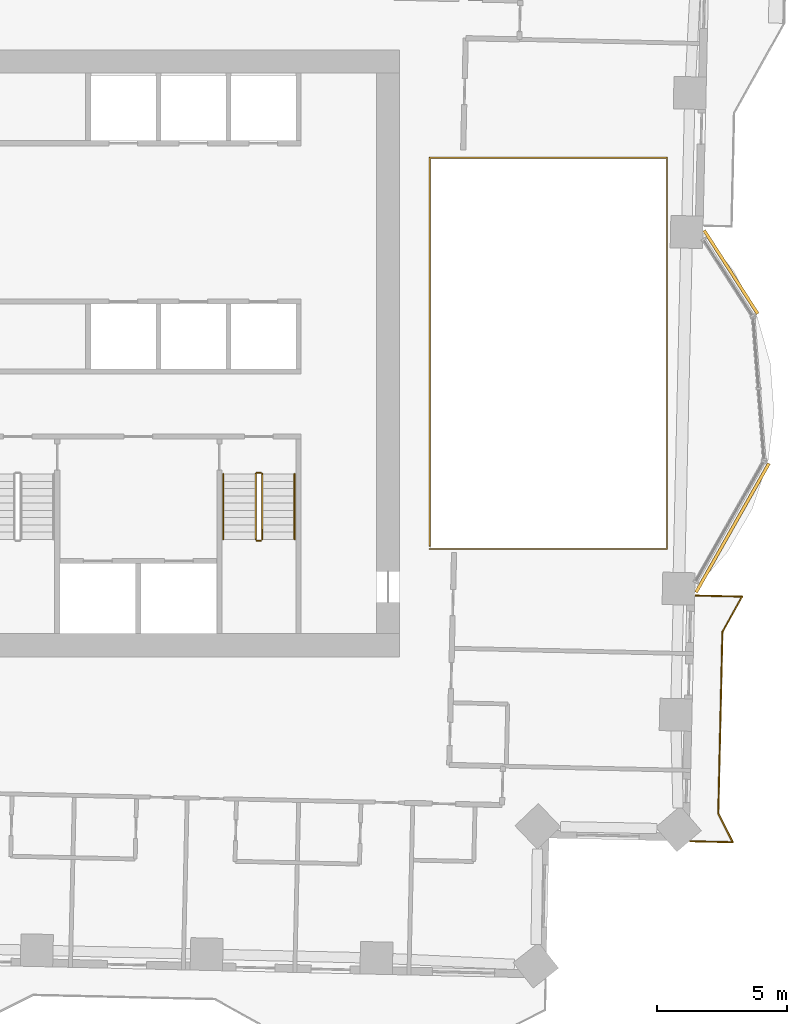
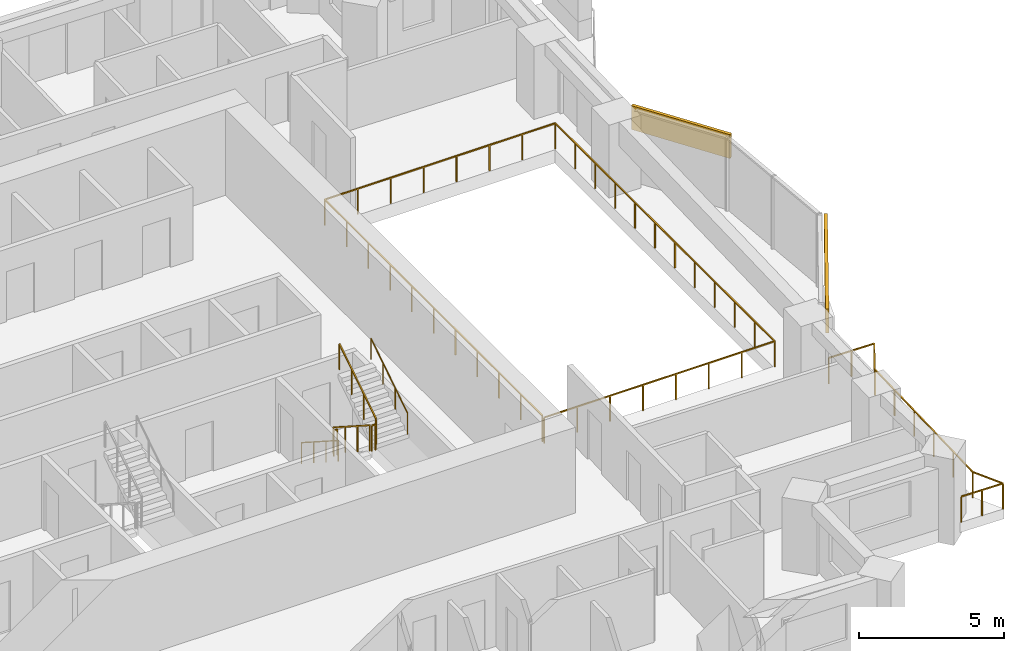
# One storey, part 13 of 14: 8 railings, 2 coverings.
"""IFC4 building model written with IfcOpenShell, lengths in metres."""

from ifc_helpers import new_model, si_unit, direction, frame, frame_2d, origin, origin_2d, place, context, subcontext, project, spatial, rectangle, circle, extrude, material, layer, layer_set, type_object, element, save


model = new_model("IFC4")

# Units and contexts
model_context = context("Model", 3, precision=1e-05, world=origin(), true_north=direction((0.0, 1.0)))
body_context = subcontext(model_context, "Body", "Model", "MODEL_VIEW")
ifc_project = project(units=[si_unit("LENGTHUNIT", "METRE"), si_unit("AREAUNIT", "SQUARE_METRE"), si_unit("VOLUMEUNIT", "CUBIC_METRE"), si_unit("PLANEANGLEUNIT", "RADIAN"), si_unit("MASSUNIT", "GRAM", prefix="KILO")], contexts=[model_context])

# Site, building, storey
site_placement = place(None, origin())
site = spatial("IfcSite", under=ifc_project, at=site_placement, CompositionType="ELEMENT")
building_placement = place(site_placement, origin())
building = spatial("IfcBuilding", under=site, at=building_placement, Name="Mangrove Gate Tower", CompositionType="ELEMENT")
storey_placement = place(building_placement, frame((0.0, 0.0, 167.10009765625)))
storey = spatial("IfcBuildingStorey", under=building, at=storey_placement, Name="L42", CompositionType="ELEMENT", Elevation=167.10009765625)

# Railings
ifc_material_1 = material(Name="Stainless steel grade 316 with laminated glass infill", Category="steel")
railing_type_1 = type_object("IfcRailingType", Name="Balcony guard 1100", PredefinedType="GUARDRAIL", material=ifc_material_1)
railing_1_placement = place(storey_placement, frame((25.89697265625, -18.805908203125, 0.0)))
element("IfcRailing", 1, at=railing_1_placement, inside=storey, type_object=railing_type_1, Name="GUARD L42 E1", PredefinedType="GUARDRAIL", context=body_context, shape_type="SweptSolid", body=[
    extrude(rectangle(XDim=0.048095703125, YDim=0.048095703125, at=origin_2d()), frame((0.0, 0.0, 1.076171875), z_axis=(0.999744439543, -0.022606538948, 0.0), x_axis=(0.022606538948, 0.999744439543, 0.0)), (0.0, 0.0, 1.0), 1.6416015625),
    extrude(rectangle(XDim=0.048095703125, YDim=0.048095703125, at=origin_2d()), frame((1.64111328125, -0.037109375, 1.076171875), z_axis=(-0.446978121819, 0.8945448891, 0.0), x_axis=(-0.8945448891, -0.446978121819, 0.0)), (0.0, 0.0, 1.0), 1.244140625),
    extrude(rectangle(XDim=0.048095703125, YDim=0.048095703125, at=origin_2d()), frame((1.0849609375, 1.075927734375, 1.076171875), z_axis=(0.022740419861, 0.999741403216, 0.0), x_axis=(-0.999741403216, 0.022740419861, 0.0)), (0.0, 0.0, 1.0), 6.999755859375),
    extrude(rectangle(XDim=0.048095703125, YDim=0.048095703125, at=origin_2d()), frame((1.244140625, 8.073974609375, 1.076171875), z_axis=(0.48684254189, 0.87348974774, 0.0), x_axis=(-0.87348974774, 0.48684254189, 0.0)), (0.0, 0.0, 1.0), 1.5546875),
    extrude(rectangle(XDim=0.048095703125, YDim=0.048095703125, at=origin_2d()), frame((2.0009765625, 9.431884765625, 1.076171875), z_axis=(-0.999748773553, 0.02241405316, 0.0), x_axis=(-0.02241405316, -0.999748773553, 0.0)), (0.0, 0.0, 1.0), 1.786376953125),
    extrude(rectangle(XDim=0.0419921875, YDim=0.0419921875, at=origin_2d()), origin(), (0.0, 0.0, 1.0), 1.052001953125),
    extrude(rectangle(XDim=0.0419921875, YDim=0.0419921875, at=origin_2d()), frame((0.820556640625, -0.0185546875, 0.0)), (0.0, 0.0, 1.0), 1.052001953125),
    extrude(rectangle(XDim=0.0419921875, YDim=0.0419921875, at=origin_2d()), frame((1.64111328125, -0.037109375, 0.0)), (0.0, 0.0, 1.0), 1.052001953125),
    extrude(rectangle(XDim=0.0419921875, YDim=0.0419921875, at=origin_2d()), frame((1.0849609375, 1.075927734375, 0.0)), (0.0, 0.0, 1.0), 1.052001953125),
    extrude(rectangle(XDim=0.0419921875, YDim=0.0419921875, at=origin_2d()), frame((1.11669921875, 2.4755859375, 0.0)), (0.0, 0.0, 1.0), 1.052001953125),
    extrude(rectangle(XDim=0.0419921875, YDim=0.0419921875, at=origin_2d()), frame((1.148681640625, 3.875244140625, 0.0)), (0.0, 0.0, 1.0), 1.052001953125),
    extrude(rectangle(XDim=0.0419921875, YDim=0.0419921875, at=origin_2d()), frame((1.180419921875, 5.274658203125, 0.0)), (0.0, 0.0, 1.0), 1.052001953125),
    extrude(rectangle(XDim=0.0419921875, YDim=0.0419921875, at=origin_2d()), frame((1.21240234375, 6.67431640625, 0.0)), (0.0, 0.0, 1.0), 1.052001953125),
    extrude(rectangle(XDim=0.0419921875, YDim=0.0419921875, at=origin_2d()), frame((1.244140625, 8.073974609375, 0.0)), (0.0, 0.0, 1.0), 1.052001953125),
    extrude(rectangle(XDim=0.0419921875, YDim=0.0419921875, at=origin_2d()), frame((1.62255859375, 8.7529296875, 0.0)), (0.0, 0.0, 1.0), 1.052001953125),
    extrude(rectangle(XDim=0.0419921875, YDim=0.0419921875, at=origin_2d()), frame((2.0009765625, 9.431884765625, 0.0)), (0.0, 0.0, 1.0), 1.052001953125),
    extrude(rectangle(XDim=0.0419921875, YDim=0.0419921875, at=origin_2d()), frame((1.10791015625, 9.451904296875, 0.0)), (0.0, 0.0, 1.0), 1.052001953125),
    extrude(rectangle(XDim=0.0419921875, YDim=0.0419921875, at=origin_2d()), frame((0.215087890625, 9.471923828125, 0.0)), (0.0, 0.0, 1.0), 1.052001953125),
])
railing_2_placement = place(storey_placement, frame((15.860107421875, -7.5400390625, 0.0)))
element("IfcRailing", 2, at=railing_2_placement, inside=storey, type_object=railing_type_1, Name="GUARD L42 atrium", PredefinedType="GUARDRAIL", context=body_context, shape_type="SweptSolid", body=[
    extrude(rectangle(XDim=0.048095703125, YDim=0.048095703125, at=origin_2d()), frame((0.0, 0.0, 1.076171875), z_axis=(1.0, 0.0, 0.0), x_axis=(0.0, 1.0, 0.0)), (0.0, 0.0, 1.0), 9.143798828125),
    extrude(rectangle(XDim=0.048095703125, YDim=0.048095703125, at=origin_2d()), frame((9.143798828125, 0.0, 1.076171875), z_axis=(0.0, 1.0, 0.0), x_axis=(-1.0, 0.0, 0.0)), (0.0, 0.0, 1.0), 15.080078125),
    extrude(rectangle(XDim=0.048095703125, YDim=0.048095703125, at=origin_2d()), frame((9.143798828125, 15.080078125, 1.076171875), z_axis=(-1.0, 0.0, 0.0), x_axis=(0.0, -1.0, 0.0)), (0.0, 0.0, 1.0), 9.143798828125),
    extrude(rectangle(XDim=0.048095703125, YDim=0.048095703125, at=origin_2d()), frame((0.0, 15.080078125, 1.076171875), z_axis=(0.0, -1.0, 0.0), x_axis=(1.0, 0.0, 0.0)), (0.0, 0.0, 1.0), 14.9599609375),
    extrude(rectangle(XDim=0.0419921875, YDim=0.0419921875, at=origin_2d()), origin(), (0.0, 0.0, 1.0), 1.052001953125),
    extrude(rectangle(XDim=0.0419921875, YDim=0.0419921875, at=origin_2d()), frame((1.30615234375, 0.0, 0.0)), (0.0, 0.0, 1.0), 1.052001953125),
    extrude(rectangle(XDim=0.0419921875, YDim=0.0419921875, at=origin_2d()), frame((2.612548828125, 0.0, 0.0)), (0.0, 0.0, 1.0), 1.052001953125),
    extrude(rectangle(XDim=0.0419921875, YDim=0.0419921875, at=origin_2d()), frame((3.918701171875, 0.0, 0.0)), (0.0, 0.0, 1.0), 1.052001953125),
    extrude(rectangle(XDim=0.0419921875, YDim=0.0419921875, at=origin_2d()), frame((5.22509765625, 0.0, 0.0)), (0.0, 0.0, 1.0), 1.052001953125),
    extrude(rectangle(XDim=0.0419921875, YDim=0.0419921875, at=origin_2d()), frame((6.53125, 0.0, 0.0)), (0.0, 0.0, 1.0), 1.052001953125),
    extrude(rectangle(XDim=0.0419921875, YDim=0.0419921875, at=origin_2d()), frame((7.837646484375, 0.0, 0.0)), (0.0, 0.0, 1.0), 1.052001953125),
    extrude(rectangle(XDim=0.0419921875, YDim=0.0419921875, at=origin_2d()), frame((9.143798828125, 0.0, 0.0)), (0.0, 0.0, 1.0), 1.052001953125),
    extrude(rectangle(XDim=0.0419921875, YDim=0.0419921875, at=origin_2d()), frame((9.143798828125, 1.370849609375, 0.0)), (0.0, 0.0, 1.0), 1.052001953125),
    extrude(rectangle(XDim=0.0419921875, YDim=0.0419921875, at=origin_2d()), frame((9.143798828125, 2.741943359375, 0.0)), (0.0, 0.0, 1.0), 1.052001953125),
    extrude(rectangle(XDim=0.0419921875, YDim=0.0419921875, at=origin_2d()), frame((9.143798828125, 4.11279296875, 0.0)), (0.0, 0.0, 1.0), 1.052001953125),
    extrude(rectangle(XDim=0.0419921875, YDim=0.0419921875, at=origin_2d()), frame((9.143798828125, 5.483642578125, 0.0)), (0.0, 0.0, 1.0), 1.052001953125),
    extrude(rectangle(XDim=0.0419921875, YDim=0.0419921875, at=origin_2d()), frame((9.143798828125, 6.8544921875, 0.0)), (0.0, 0.0, 1.0), 1.052001953125),
    extrude(rectangle(XDim=0.0419921875, YDim=0.0419921875, at=origin_2d()), frame((9.143798828125, 8.2255859375, 0.0)), (0.0, 0.0, 1.0), 1.052001953125),
    extrude(rectangle(XDim=0.0419921875, YDim=0.0419921875, at=origin_2d()), frame((9.143798828125, 9.596435546875, 0.0)), (0.0, 0.0, 1.0), 1.052001953125),
    extrude(rectangle(XDim=0.0419921875, YDim=0.0419921875, at=origin_2d()), frame((9.143798828125, 10.96728515625, 0.0)), (0.0, 0.0, 1.0), 1.052001953125),
    extrude(rectangle(XDim=0.0419921875, YDim=0.0419921875, at=origin_2d()), frame((9.143798828125, 12.338134765625, 0.0)), (0.0, 0.0, 1.0), 1.052001953125),
    extrude(rectangle(XDim=0.0419921875, YDim=0.0419921875, at=origin_2d()), frame((9.143798828125, 13.709228515625, 0.0)), (0.0, 0.0, 1.0), 1.052001953125),
    extrude(rectangle(XDim=0.0419921875, YDim=0.0419921875, at=origin_2d()), frame((9.143798828125, 15.080078125, 0.0)), (0.0, 0.0, 1.0), 1.052001953125),
    extrude(rectangle(XDim=0.0419921875, YDim=0.0419921875, at=origin_2d()), frame((7.837646484375, 15.080078125, 0.0)), (0.0, 0.0, 1.0), 1.052001953125),
    extrude(rectangle(XDim=0.0419921875, YDim=0.0419921875, at=origin_2d()), frame((6.53125, 15.080078125, 0.0)), (0.0, 0.0, 1.0), 1.052001953125),
    extrude(rectangle(XDim=0.0419921875, YDim=0.0419921875, at=origin_2d()), frame((5.22509765625, 15.080078125, 0.0)), (0.0, 0.0, 1.0), 1.052001953125),
    extrude(rectangle(XDim=0.0419921875, YDim=0.0419921875, at=origin_2d()), frame((3.918701171875, 15.080078125, 0.0)), (0.0, 0.0, 1.0), 1.052001953125),
    extrude(rectangle(XDim=0.0419921875, YDim=0.0419921875, at=origin_2d()), frame((2.612548828125, 15.080078125, 0.0)), (0.0, 0.0, 1.0), 1.052001953125),
    extrude(rectangle(XDim=0.0419921875, YDim=0.0419921875, at=origin_2d()), frame((1.30615234375, 15.080078125, 0.0)), (0.0, 0.0, 1.0), 1.052001953125),
    extrude(rectangle(XDim=0.0419921875, YDim=0.0419921875, at=origin_2d()), frame((0.0, 15.080078125, 0.0)), (0.0, 0.0, 1.0), 1.052001953125),
    extrude(rectangle(XDim=0.0419921875, YDim=0.0419921875, at=origin_2d()), frame((0.0, 13.583984375, 0.0)), (0.0, 0.0, 1.0), 1.052001953125),
    extrude(rectangle(XDim=0.0419921875, YDim=0.0419921875, at=origin_2d()), frame((0.0, 12.088134765625, 0.0)), (0.0, 0.0, 1.0), 1.052001953125),
    extrude(rectangle(XDim=0.0419921875, YDim=0.0419921875, at=origin_2d()), frame((0.0, 10.592041015625, 0.0)), (0.0, 0.0, 1.0), 1.052001953125),
    extrude(rectangle(XDim=0.0419921875, YDim=0.0419921875, at=origin_2d()), frame((0.0, 9.09619140625, 0.0)), (0.0, 0.0, 1.0), 1.052001953125),
    extrude(rectangle(XDim=0.0419921875, YDim=0.0419921875, at=origin_2d()), frame((0.0, 7.60009765625, 0.0)), (0.0, 0.0, 1.0), 1.052001953125),
    extrude(rectangle(XDim=0.0419921875, YDim=0.0419921875, at=origin_2d()), frame((0.0, 6.10400390625, 0.0)), (0.0, 0.0, 1.0), 1.052001953125),
    extrude(rectangle(XDim=0.0419921875, YDim=0.0419921875, at=origin_2d()), frame((0.0, 4.608154296875, 0.0)), (0.0, 0.0, 1.0), 1.052001953125),
    extrude(rectangle(XDim=0.0419921875, YDim=0.0419921875, at=origin_2d()), frame((0.0, 3.112060546875, 0.0)), (0.0, 0.0, 1.0), 1.052001953125),
    extrude(rectangle(XDim=0.0419921875, YDim=0.0419921875, at=origin_2d()), frame((0.0, 1.6162109375, 0.0)), (0.0, 0.0, 1.0), 1.052001953125),
    extrude(rectangle(XDim=0.0419921875, YDim=0.0419921875, at=origin_2d()), frame((0.0, 0.1201171875, 0.0)), (0.0, 0.0, 1.0), 1.052001953125),
])
ifc_material_2 = material(Name="Stainless steel 316", Category="steel")
railing_type_2 = type_object("IfcRailingType", Name="Core stair guard 1100", PredefinedType="GUARDRAIL", material=ifc_material_2)
railing_3_placement = place(storey_placement, frame((9.14990234375, -4.64990234375, 0.179931640625)))
element("IfcRailing", 3, at=railing_3_placement, inside=storey, type_object=railing_type_2, Name="L42 ST3 stair guard 1", PredefinedType="GUARDRAIL", context=body_context, shape_type="SweptSolid", body=[
    extrude(rectangle(XDim=0.048095703125, YDim=0.048095703125, at=origin_2d()), frame((0.0, 0.0, 1.076171875), z_axis=(0.0, -0.841199657755, 0.540724639528), x_axis=(1.0, 0.0, 0.0)), (0.0, 0.0, 1.0), 2.995849609375),
    extrude(rectangle(XDim=0.0419921875, YDim=0.0419921875, at=origin_2d()), origin(), (0.0, 0.0, 1.0), 1.052001953125),
    extrude(rectangle(XDim=0.0419921875, YDim=0.0419921875, at=origin_2d()), frame((0.0, -0.840087890625, 0.5400390625)), (0.0, 0.0, 1.0), 1.052001953125),
    extrude(rectangle(XDim=0.0419921875, YDim=0.0419921875, at=origin_2d()), frame((0.0, -1.679931640625, 1.079833984375)), (0.0, 0.0, 1.0), 1.052001953125),
    extrude(rectangle(XDim=0.0419921875, YDim=0.0419921875, at=origin_2d()), frame((0.0, -2.52001953125, 1.619873046875)), (0.0, 0.0, 1.0), 1.052001953125),
])
railing_4_placement = place(storey_placement, frame((9.199951171875, -7.219970703125, 1.7998046875)))
element("IfcRailing", 4, at=railing_4_placement, inside=storey, type_object=railing_type_2, Name="L42 ST3 stair guard 2", PredefinedType="GUARDRAIL", context=body_context, shape_type="SweptSolid", body=[
    extrude(rectangle(XDim=0.048095703125, YDim=0.048095703125, at=origin_2d()), frame((0.0, 0.0, 1.076171875), z_axis=(1.0, 0.0, 0.0), x_axis=(0.0, 1.0, 0.0)), (0.0, 0.0, 1.0), 0.150146484375),
    extrude(rectangle(XDim=0.0419921875, YDim=0.0419921875, at=origin_2d()), origin(), (0.0, 0.0, 1.0), 1.052001953125),
    extrude(rectangle(XDim=0.0419921875, YDim=0.0419921875, at=origin_2d()), frame((0.150146484375, 0.0, 0.0)), (0.0, 0.0, 1.0), 1.052001953125),
])
railing_5_placement = place(storey_placement, frame((9.39990234375, -7.169921875, 1.97998046875)))
element("IfcRailing", 5, at=railing_5_placement, inside=storey, type_object=railing_type_2, Name="L42 ST3 stair guard 3", PredefinedType="GUARDRAIL", context=body_context, shape_type="SweptSolid", body=[
    extrude(rectangle(XDim=0.048095703125, YDim=0.048095703125, at=origin_2d()), frame((0.0, 0.0, 1.076171875), z_axis=(0.0, 0.841199657755, 0.540724639528), x_axis=(-1.0, 0.0, 0.0)), (0.0, 0.0, 1.0), 2.995849609375),
    extrude(rectangle(XDim=0.0419921875, YDim=0.0419921875, at=origin_2d()), origin(), (0.0, 0.0, 1.0), 1.052001953125),
    extrude(rectangle(XDim=0.0419921875, YDim=0.0419921875, at=origin_2d()), frame((0.0, 0.840087890625, 0.5400390625)), (0.0, 0.0, 1.0), 1.052001953125),
    extrude(rectangle(XDim=0.0419921875, YDim=0.0419921875, at=origin_2d()), frame((0.0, 1.679931640625, 1.079833984375)), (0.0, 0.0, 1.0), 1.052001953125),
    extrude(rectangle(XDim=0.0419921875, YDim=0.0419921875, at=origin_2d()), frame((0.0, 2.52001953125, 1.619873046875)), (0.0, 0.0, 1.0), 1.052001953125),
])
railing_6_placement = place(storey_placement, frame((9.199951171875, -4.60009765625, 0.0)))
element("IfcRailing", 6, at=railing_6_placement, inside=storey, type_object=railing_type_2, Name="L42 ST3 stair guard 4", PredefinedType="GUARDRAIL", context=body_context, shape_type="SweptSolid", body=[
    extrude(rectangle(XDim=0.048095703125, YDim=0.048095703125, at=origin_2d()), frame((0.0, 0.0, 1.076171875), z_axis=(1.0, 0.0, 0.0), x_axis=(0.0, 1.0, 0.0)), (0.0, 0.0, 1.0), 0.150146484375),
    extrude(rectangle(XDim=0.0419921875, YDim=0.0419921875, at=origin_2d()), origin(), (0.0, 0.0, 1.0), 1.052001953125),
    extrude(rectangle(XDim=0.0419921875, YDim=0.0419921875, at=origin_2d()), frame((0.150146484375, 0.0, 0.0)), (0.0, 0.0, 1.0), 1.052001953125),
])
ifc_material_3 = material(Name="Stainless steel 316", Category="steel")
railing_type_3 = type_object("IfcRailingType", Name="Core stair handrail 900", PredefinedType="HANDRAIL", material=ifc_material_3)
railing_7_placement = place(storey_placement, frame((7.89990234375, -4.64990234375, 0.179931640625)))
element("IfcRailing", 7, at=railing_7_placement, inside=storey, type_object=railing_type_3, Name="L42 ST3 stair handrail 1", PredefinedType="HANDRAIL", context=body_context, shape_type="SweptSolid", body=[
    extrude(circle(Radius=0.02392578125, at=origin_2d()), frame((0.0, 0.0, 0.8759765625), z_axis=(0.0, -0.841199657755, 0.540724639528), x_axis=(1.0, 0.0, 0.0)), (0.0, 0.0, 1.0), 2.995849609375),
    extrude(circle(Radius=0.02099609375, at=origin_2d()), origin(), (0.0, 0.0, 1.0), 0.851806640625),
    extrude(circle(Radius=0.02099609375, at=origin_2d()), frame((0.0, -0.840087890625, 0.5400390625)), (0.0, 0.0, 1.0), 0.851806640625),
    extrude(circle(Radius=0.02099609375, at=origin_2d()), frame((0.0, -1.679931640625, 1.079833984375)), (0.0, 0.0, 1.0), 0.851806640625),
    extrude(circle(Radius=0.02099609375, at=origin_2d()), frame((0.0, -2.52001953125, 1.619873046875)), (0.0, 0.0, 1.0), 0.851806640625),
])
railing_8_placement = place(storey_placement, frame((10.64990234375, -7.169921875, 1.97998046875)))
element("IfcRailing", 8, at=railing_8_placement, inside=storey, type_object=railing_type_3, Name="L42 ST3 stair handrail 2", PredefinedType="HANDRAIL", context=body_context, shape_type="SweptSolid", body=[
    extrude(circle(Radius=0.02392578125, at=origin_2d()), frame((0.0, 0.0, 0.8759765625), z_axis=(0.0, 0.841199657755, 0.540724639528), x_axis=(-1.0, 0.0, 0.0)), (0.0, 0.0, 1.0), 2.995849609375),
    extrude(circle(Radius=0.02099609375, at=origin_2d()), origin(), (0.0, 0.0, 1.0), 0.851806640625),
    extrude(circle(Radius=0.02099609375, at=origin_2d()), frame((0.0, 0.840087890625, 0.5400390625)), (0.0, 0.0, 1.0), 0.851806640625),
    extrude(circle(Radius=0.02099609375, at=origin_2d()), frame((0.0, 1.679931640625, 1.079833984375)), (0.0, 0.0, 1.0), 0.851806640625),
    extrude(circle(Radius=0.02099609375, at=origin_2d()), frame((0.0, 2.52001953125, 1.619873046875)), (0.0, 0.0, 1.0), 0.851806640625),
])

# Coverings
ifc_material_4 = material(Name="Limestone", Category="masonry")
ifc_layer_1 = layer(ifc_material_4, 0.0400390625, Name="Limestone cladding")
ifc_material_5 = material(Name="Stainless steel anchors and cavity", Category="steel")
ifc_layer_2 = layer(ifc_material_5, 0.080078125, Name="Fixing cavity")
ifc_layer_set = layer_set([ifc_layer_1, ifc_layer_2], Name="Joint fascia cladding 120")
covering_type = type_object("IfcCoveringType", Name="Joint fascia cladding 120", PredefinedType="CLADDING", material=ifc_layer_set)
covering_1_placement = place(storey_placement, frame((26.125, -9.208984375, 2.0498046875), z_axis=(0.0, 0.0, 1.0), x_axis=(0.492475934062, 0.870326062099, 0.0)))
element("IfcCovering", 9, at=covering_1_placement, inside=storey, type_object=covering_type, Name="STONE FASCIA L42 E1.L1", PredefinedType="CLADDING", context=body_context, shape_type="SweptSolid", body=[
    extrude(rectangle(XDim=5.7060546875, YDim=0.1201171875, at=frame_2d((2.85302734375, 0.0))), origin(), (0.0, 0.0, 1.0), 1.0),
])
covering_2_placement = place(storey_placement, frame((28.5, 1.530029296875, 2.0498046875), z_axis=(0.0, 0.0, 1.0), x_axis=(-0.540486138148, 0.841352919095, 0.0)))
element("IfcCovering", 10, at=covering_2_placement, inside=storey, type_object=covering_type, Name="STONE FASCIA L42 E1.L2", PredefinedType="CLADDING", context=body_context, shape_type="SweptSolid", body=[
    extrude(rectangle(XDim=3.818603515625, YDim=0.1201171875, at=frame_2d((1.9091796875, 0.0))), origin(), (0.0, 0.0, 1.0), 1.0),
])

save(model, "model.ifc")
